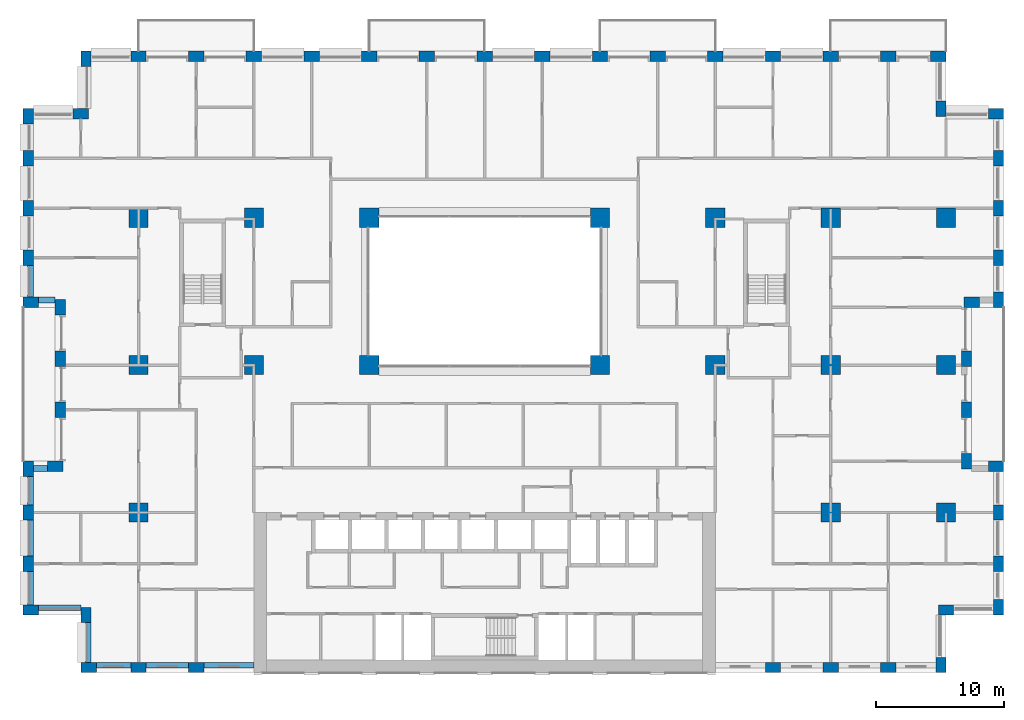
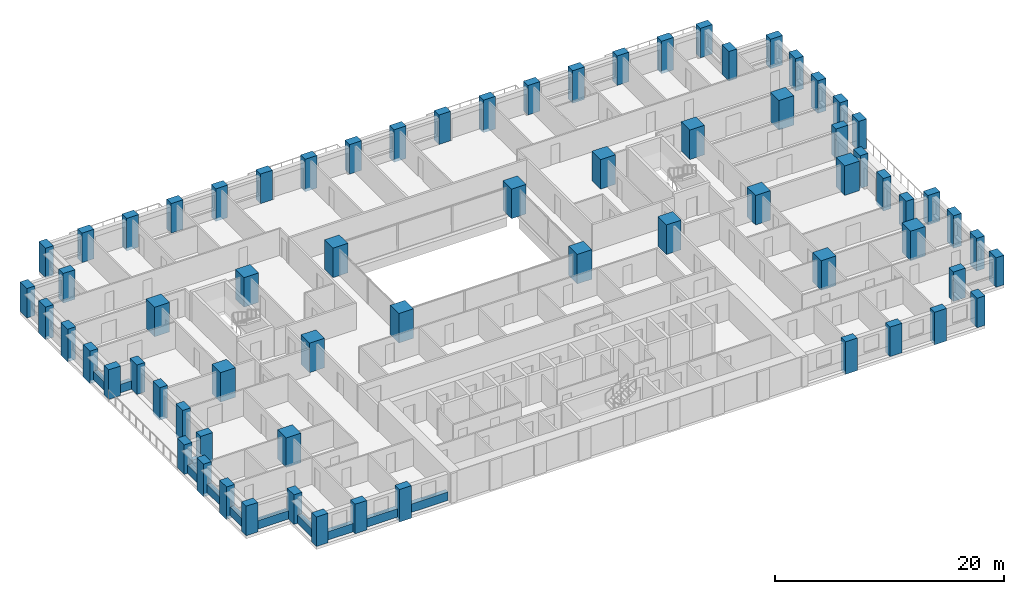
# One storey, part 1 of 19: 70 columns, 11 beams.
"""IFC4 building model written with IfcOpenShell, lengths in metres."""

from ifc_helpers import new_model, si_unit, direction, frame, origin, origin_2d, place, context, subcontext, project, spatial, rectangle, extrude, material, material_profile, profile_set, type_object, element, save


model = new_model("IFC4")

# Units and contexts
model_context = context("Model", 3, precision=1e-05, world=origin(), true_north=direction((0.0, 1.0)))
body_context = subcontext(model_context, "Body", "Model", "MODEL_VIEW")
ifc_project = project(units=[si_unit("LENGTHUNIT", "METRE"), si_unit("AREAUNIT", "SQUARE_METRE"), si_unit("VOLUMEUNIT", "CUBIC_METRE"), si_unit("PLANEANGLEUNIT", "RADIAN"), si_unit("MASSUNIT", "GRAM", prefix="KILO")], contexts=[model_context])

# Site, building, storey
site_placement = place(None, origin())
site = spatial("IfcSite", under=ifc_project, at=site_placement, CompositionType="ELEMENT")
building_placement = place(site_placement, origin())
building = spatial("IfcBuilding", under=site, at=building_placement, Name="Brigalow Station Residences", CompositionType="ELEMENT")
storey_placement = place(building_placement, frame((0.0, 0.0, 19.5)))
storey = spatial("IfcBuildingStorey", under=building, at=storey_placement, Name="L04", CompositionType="ELEMENT", Elevation=19.5)

# Columns
ifc_material_1 = material(Name="Concrete C80", Category="concrete")
ifc_material_profile_1 = material_profile(ifc_material_1, rectangle(XDim=1.5, YDim=1.5, at=origin_2d()), Name="RC1500x1500")
ifc_profile_set_1 = profile_set([ifc_material_profile_1], Name="Concrete C80")
column_type_1 = type_object("IfcColumnType", Name="COLUMN 1500x1500 C80", PredefinedType="COLUMN", material=ifc_profile_set_1)
for number, where, z_axis, x_axis, name in (
    (1, (9.0, 24.0, 0.0), (0.0, 0.0, 1.0), (1.0, 0.0, 0.0), "COLUMN C1 L04"),
    (2, (18.0, 24.0, 0.0), (0.0, 0.0, 1.0), (1.0, 0.0, 0.0), "COLUMN C2 L04"),
    (3, (27.0, 24.0, 0.0), (0.0, 0.0, 1.0), (1.0, 0.0, 0.0), "COLUMN C3 L04"),
    (4, (45.0, 24.0, 0.0), (0.0, 0.0, 1.0), (1.0, 0.0, 0.0), "COLUMN C5 L04"),
    (5, (54.0, 24.0, 0.0), (0.0, 0.0, 1.0), (1.0, 0.0, 0.0), "COLUMN C6 L04"),
    (6, (63.0, 24.0, 0.0), (0.0, 0.0, 1.0), (1.0, 0.0, 0.0), "COLUMN C7 L04"),
    (7, (72.0, 24.0, 0.0), (0.0, 0.0, 1.0), (1.0, 0.0, 0.0), "COLUMN C8 L04"),
    (8, (9.0, 35.5, 0.0), (0.0, 0.0, 1.0), (1.0, 0.0, 0.0), "COLUMN D1 L04"),
    (9, (18.0, 35.5, 0.0), (0.0, 0.0, 1.0), (1.0, 0.0, 0.0), "COLUMN D2 L04"),
    (10, (27.0, 35.5, 0.0), (0.0, 0.0, 1.0), (1.0, 0.0, 0.0), "COLUMN D3 L04"),
    (11, (45.0, 35.5, 0.0), (0.0, 0.0, 1.0), (1.0, 0.0, 0.0), "COLUMN D5 L04"),
    (12, (54.0, 35.5, 0.0), (0.0, 0.0, 1.0), (1.0, 0.0, 0.0), "COLUMN D6 L04"),
    (13, (63.0, 35.5, 0.0), (0.0, 0.0, 1.0), (1.0, 0.0, 0.0), "COLUMN D7 L04"),
    (14, (72.0, 35.5, 0.0), (0.0, 0.0, 1.0), (1.0, 0.0, 0.0), "COLUMN D8 L04"),
    (15, (9.0, 12.5, 0.0), (0.0, 0.0, 1.0), (1.0, 0.0, 0.0), "COLUMN B1 L04"),
    (16, (63.0, 12.5, 0.0), (0.0, 0.0, 1.0), (1.0, 0.0, 0.0), "COLUMN B7 L04"),
    (17, (72.0, 12.5, 0.0), (0.0, 0.0, 1.0), (1.0, 0.0, 0.0), "COLUMN B8 L04"),
):
    element("IfcColumn", number, at=place(storey_placement, frame(where, z_axis=z_axis, x_axis=x_axis)), inside=storey, type_object=column_type_1, Name=name, PredefinedType="COLUMN", context=body_context, shape_type="SweptSolid", body=[
        extrude(rectangle(XDim=1.5, YDim=1.5, at=origin_2d()), origin(), (0.0, 0.0, 1.0), 3.14990234375),
    ])
ifc_material_2 = material(Name="Concrete C80", Category="concrete")
ifc_material_profile_2 = material_profile(ifc_material_2, rectangle(XDim=1.199951171875, YDim=0.800048828125, at=origin_2d()), Name="RC1200x800")
ifc_profile_set_2 = profile_set([ifc_material_profile_2], Name="Concrete C80")
column_type_2 = type_object("IfcColumnType", Name="PIER 1200x800 C80", PredefinedType="USERDEFINED", material=ifc_profile_set_2)
for number, where, z_axis, x_axis, name in (
    (18, (5.10009765625, 0.39990234375, 0.0), (0.0, 0.0, 1.0), (1.0, 0.0, 0.0), "PIER S-1 L04"),
    (19, (9.0, 0.39990234375, 0.0), (0.0, 0.0, 1.0), (1.0, 0.0, 0.0), "PIER S-2 L04"),
    (20, (63.0, 0.39990234375, 0.0), (0.0, 0.0, 1.0), (1.0, 0.0, 0.0), "PIER S-14 L04"),
    (21, (71.60009765625, 0.60009765625, 0.0), (0.0, 0.0, 1.0), (0.0, 1.0, 0.0), "PIER SE1-1 L04"),
    (22, (72.0, 4.89990234375, 0.0), (0.0, 0.0, 1.0), (1.0, 0.0, 0.0), "PIER SE2-1 L04"),
    (23, (76.10009765625, 5.10009765625, 0.0), (0.0, 0.0, 1.0), (0.0, 1.0, 0.0), "PIER E1-1 L04"),
    (24, (75.89990234375, 16.10009765625, 0.0), (0.0, 0.0, 1.0), (-1.0, 0.0, 0.0), "PIER EL1-1 L04"),
    (25, (73.60009765625, 16.5, 0.0), (0.0, 0.0, 1.0), (0.0, 1.0, 0.0), "PIER EL2-1 L04"),
    (26, (74.0, 28.89990234375, 0.0), (0.0, 0.0, 1.0), (1.0, 0.0, 0.0), "PIER EL3-1 L04"),
    (27, (76.10009765625, 29.10009765625, 0.0), (0.0, 0.0, 1.0), (0.0, 1.0, 0.0), "PIER E2-1 L04"),
    (28, (75.89990234375, 43.60009765625, 0.0), (0.0, 0.0, 1.0), (-1.0, 0.0, 0.0), "PIER NE1-1 L04"),
    (29, (71.60009765625, 44.0, 0.0), (0.0, 0.0, 1.0), (0.0, 1.0, 0.0), "PIER NE2-1 L04"),
    (30, (71.39990234375, 48.10009765625, 0.0), (0.0, 0.0, 1.0), (-1.0, 0.0, 0.0), "PIER N-1 L04"),
    (31, (63.0, 48.10009765625, 0.0), (0.0, 0.0, 1.0), (-1.0, 0.0, 0.0), "PIER N-3 L04"),
    (32, (54.0, 48.10009765625, 0.0), (0.0, 0.0, 1.0), (-1.0, 0.0, 0.0), "PIER N-5 L04"),
    (33, (45.0, 48.10009765625, 0.0), (0.0, 0.0, 1.0), (-1.0, 0.0, 0.0), "PIER N-7 L04"),
    (34, (36.0, 48.10009765625, 0.0), (0.0, 0.0, 1.0), (-1.0, 0.0, 0.0), "PIER N-9 L04"),
    (35, (27.0, 48.10009765625, 0.0), (0.0, 0.0, 1.0), (-1.0, 0.0, 0.0), "PIER N-11 L04"),
    (36, (18.0, 48.10009765625, 0.0), (0.0, 0.0, 1.0), (-1.0, 0.0, 0.0), "PIER N-13 L04"),
    (37, (9.0, 48.10009765625, 0.0), (0.0, 0.0, 1.0), (-1.0, 0.0, 0.0), "PIER N-15 L04"),
    (38, (4.89990234375, 47.89990234375, 0.0), (0.0, 0.0, 1.0), (0.0, -1.0, 0.0), "PIER NW1-1 L04"),
    (39, (4.5, 43.60009765625, 0.0), (0.0, 0.0, 1.0), (-1.0, 0.0, 0.0), "PIER NW2-1 L04"),
    (40, (0.39990234375, 43.39990234375, 0.0), (0.0, 0.0, 1.0), (0.0, -1.0, 0.0), "PIER W2-1 L04"),
    (41, (0.60009765625, 28.89990234375, 0.0), (0.0, 0.0, 1.0), (1.0, 0.0, 0.0), "PIER WL1-1 L04"),
    (42, (2.89990234375, 28.5, 0.0), (0.0, 0.0, 1.0), (0.0, -1.0, 0.0), "PIER WL2-1 L04"),
    (43, (2.5, 16.10009765625, 0.0), (0.0, 0.0, 1.0), (-1.0, 0.0, 0.0), "PIER WL3-1 L04"),
    (44, (0.39990234375, 15.89990234375, 0.0), (0.0, 0.0, 1.0), (0.0, -1.0, 0.0), "PIER W1-1 L04"),
    (45, (0.60009765625, 4.89990234375, 0.0), (0.0, 0.0, 1.0), (1.0, 0.0, 0.0), "PIER SW1-1 L04"),
    (46, (4.89990234375, 4.5, 0.0), (0.0, 0.0, 1.0), (0.0, -1.0, 0.0), "PIER SW2-1 L04"),
):
    element("IfcColumn", number, at=place(storey_placement, frame(where, z_axis=z_axis, x_axis=x_axis)), inside=storey, type_object=column_type_2, Name=name, ObjectType="PIER", PredefinedType="USERDEFINED", context=body_context, shape_type="SweptSolid", body=[
        extrude(rectangle(XDim=1.199951171875, YDim=0.800048828125, at=origin_2d()), origin(), (0.0, 0.0, 1.0), 3.14990234375),
    ])
ifc_material_3 = material(Name="Concrete C80", Category="concrete")
ifc_material_profile_3 = material_profile(ifc_material_3, rectangle(XDim=1.199951171875, YDim=0.800048828125, at=origin_2d()), Name="RC1200x800")
ifc_profile_set_3 = profile_set([ifc_material_profile_3], Name="Concrete C80")
column_type_3 = type_object("IfcColumnType", Name="PIER ON GIRDER 1200x800 C80", PredefinedType="USERDEFINED", material=ifc_profile_set_3)
for number, where, z_axis, x_axis, name in (
    (47, (13.5, 0.39990234375, -0.320068359375), (0.0, 0.0, 1.0), (1.0, 0.0, 0.0), "PIER S-3 L04"),
    (48, (58.5, 0.39990234375, -0.320068359375), (0.0, 0.0, 1.0), (1.0, 0.0, 0.0), "PIER S-13 L04"),
    (49, (67.5, 0.39990234375, -0.320068359375), (0.0, 0.0, 1.0), (1.0, 0.0, 0.0), "PIER S-15 L04"),
    (50, (76.10009765625, 8.5, -0.320068359375), (0.0, 0.0, 1.0), (0.0, 1.0, 0.0), "PIER E1-2 L04"),
    (51, (76.10009765625, 12.5, -0.320068359375), (0.0, 0.0, 1.0), (0.0, 1.0, 0.0), "PIER E1-3 L04"),
    (52, (73.60009765625, 20.5, -0.320068359375), (0.0, 0.0, 1.0), (0.0, 1.0, 0.0), "PIER EL2-2 L04"),
    (53, (73.60009765625, 24.5, -0.320068359375), (0.0, 0.0, 1.0), (0.0, 1.0, 0.0), "PIER EL2-3 L04"),
    (54, (76.10009765625, 32.375, -0.320068359375), (0.0, 0.0, 1.0), (0.0, 1.0, 0.0), "PIER E2-2 L04"),
    (55, (76.10009765625, 36.25, -0.320068359375), (0.0, 0.0, 1.0), (0.0, 1.0, 0.0), "PIER E2-3 L04"),
    (56, (76.10009765625, 40.125, -0.320068359375), (0.0, 0.0, 1.0), (0.0, 1.0, 0.0), "PIER E2-4 L04"),
    (57, (67.5, 48.10009765625, -0.320068359375), (0.0, 0.0, 1.0), (-1.0, 0.0, 0.0), "PIER N-2 L04"),
    (58, (58.5, 48.10009765625, -0.320068359375), (0.0, 0.0, 1.0), (-1.0, 0.0, 0.0), "PIER N-4 L04"),
    (59, (49.5, 48.10009765625, -0.320068359375), (0.0, 0.0, 1.0), (-1.0, 0.0, 0.0), "PIER N-6 L04"),
    (60, (40.5, 48.10009765625, -0.320068359375), (0.0, 0.0, 1.0), (-1.0, 0.0, 0.0), "PIER N-8 L04"),
    (61, (31.5, 48.10009765625, -0.320068359375), (0.0, 0.0, 1.0), (-1.0, 0.0, 0.0), "PIER N-10 L04"),
    (62, (22.5, 48.10009765625, -0.320068359375), (0.0, 0.0, 1.0), (-1.0, 0.0, 0.0), "PIER N-12 L04"),
    (63, (13.5, 48.10009765625, -0.320068359375), (0.0, 0.0, 1.0), (-1.0, 0.0, 0.0), "PIER N-14 L04"),
    (64, (0.39990234375, 40.125, -0.320068359375), (0.0, 0.0, 1.0), (0.0, -1.0, 0.0), "PIER W2-2 L04"),
    (65, (0.39990234375, 36.25, -0.320068359375), (0.0, 0.0, 1.0), (0.0, -1.0, 0.0), "PIER W2-3 L04"),
    (66, (0.39990234375, 32.375, -0.320068359375), (0.0, 0.0, 1.0), (0.0, -1.0, 0.0), "PIER W2-4 L04"),
    (67, (2.89990234375, 24.5, -0.320068359375), (0.0, 0.0, 1.0), (0.0, -1.0, 0.0), "PIER WL2-2 L04"),
    (68, (2.89990234375, 20.5, -0.320068359375), (0.0, 0.0, 1.0), (0.0, -1.0, 0.0), "PIER WL2-3 L04"),
    (69, (0.39990234375, 12.5, -0.320068359375), (0.0, 0.0, 1.0), (0.0, -1.0, 0.0), "PIER W1-2 L04"),
    (70, (0.39990234375, 8.5, -0.320068359375), (0.0, 0.0, 1.0), (0.0, -1.0, 0.0), "PIER W1-3 L04"),
):
    element("IfcColumn", number, at=place(storey_placement, frame(where, z_axis=z_axis, x_axis=x_axis)), inside=storey, type_object=column_type_3, Name=name, ObjectType="PIER", PredefinedType="USERDEFINED", context=body_context, shape_type="SweptSolid", body=[
        extrude(rectangle(XDim=1.199951171875, YDim=0.800048828125, at=origin_2d()), origin(), (0.0, 0.0, 1.0), 3.469970703125),
    ])

# Beams
ifc_material_4 = material(Name="Concrete C65", Category="concrete")
ifc_material_profile_4 = material_profile(ifc_material_4, rectangle(XDim=0.449951171875, YDim=0.89990234375, at=origin_2d()), Name="RC450x900")
ifc_profile_set_4 = profile_set([ifc_material_profile_4], Name="Concrete C65")
beam_type = type_object("IfcBeamType", Name="SPANDREL BEAM 450x900 C65", PredefinedType="SPANDREL", material=ifc_profile_set_4)
beam_1_placement = place(storey_placement, frame((5.699951171875, 0.574951171875, 0.449951171875), z_axis=(1.0, 0.0, 0.0), x_axis=(0.0, 1.0, 0.0)))
element("IfcBeam", 71, at=beam_1_placement, inside=storey, type_object=beam_type, Name="L04/spandrel/W-L04-1", PredefinedType="SPANDREL", context=body_context, shape_type="SweptSolid", body=[
    extrude(rectangle(XDim=0.449951171875, YDim=0.89990234375, at=origin_2d()), origin(), (0.0, 0.0, 1.0), 2.699951171875),
])
beam_2_placement = place(storey_placement, frame((9.60009765625, 0.574951171875, 0.449951171875), z_axis=(1.0, 0.0, 0.0), x_axis=(0.0, 1.0, 0.0)))
element("IfcBeam", 72, at=beam_2_placement, inside=storey, type_object=beam_type, Name="L04/spandrel/W-L04-2", PredefinedType="SPANDREL", context=body_context, shape_type="SweptSolid", body=[
    extrude(rectangle(XDim=0.449951171875, YDim=0.89990234375, at=origin_2d()), origin(), (0.0, 0.0, 1.0), 3.2998046875),
])
beam_3_placement = place(storey_placement, frame((14.10009765625, 0.574951171875, 0.449951171875), z_axis=(1.0, 0.0, 0.0), x_axis=(0.0, 1.0, 0.0)))
element("IfcBeam", 73, at=beam_3_placement, inside=storey, type_object=beam_type, Name="L04/spandrel/W-L04-3", PredefinedType="SPANDREL", context=body_context, shape_type="SweptSolid", body=[
    extrude(rectangle(XDim=0.449951171875, YDim=0.89990234375, at=origin_2d()), origin(), (0.0, 0.0, 1.0), 3.89990234375),
])
beam_4_placement = place(storey_placement, frame((0.574951171875, 31.77490234375, 0.449951171875), z_axis=(0.0, -1.0, 0.0), x_axis=(1.0, 0.0, 0.0)))
element("IfcBeam", 74, at=beam_4_placement, inside=storey, type_object=beam_type, Name="L04/spandrel/W-L04-45", PredefinedType="SPANDREL", context=body_context, shape_type="SweptSolid", body=[
    extrude(rectangle(XDim=0.449951171875, YDim=0.89990234375, at=origin_2d()), origin(), (0.0, 0.0, 1.0), 2.474853515625),
])
beam_5_placement = place(storey_placement, frame((1.199951171875, 29.074951171875, 0.449951171875), z_axis=(1.0, 0.0, 0.0), x_axis=(0.0, 1.0, 0.0)))
element("IfcBeam", 75, at=beam_5_placement, inside=storey, type_object=beam_type, Name="L04/spandrel/W-L04-46", PredefinedType="SPANDREL", context=body_context, shape_type="SweptSolid", body=[
    extrude(rectangle(XDim=0.449951171875, YDim=0.89990234375, at=origin_2d()), origin(), (0.0, 0.0, 1.0), 1.300048828125),
])
beam_6_placement = place(storey_placement, frame((1.89990234375, 15.925048828125, 0.449951171875), z_axis=(-1.0, 0.0, 0.0), x_axis=(0.0, -1.0, 0.0)))
element("IfcBeam", 76, at=beam_6_placement, inside=storey, type_object=beam_type, Name="L04/spandrel/W-L04-50", PredefinedType="SPANDREL", context=body_context, shape_type="SweptSolid", body=[
    extrude(rectangle(XDim=0.449951171875, YDim=0.89990234375, at=origin_2d()), origin(), (0.0, 0.0, 1.0), 1.099853515625),
])
beam_7_placement = place(storey_placement, frame((0.574951171875, 15.300048828125, 0.449951171875), z_axis=(0.0, -1.0, 0.0), x_axis=(1.0, 0.0, 0.0)))
element("IfcBeam", 77, at=beam_7_placement, inside=storey, type_object=beam_type, Name="L04/spandrel/W-L04-51", PredefinedType="SPANDREL", context=body_context, shape_type="SweptSolid", body=[
    extrude(rectangle(XDim=0.449951171875, YDim=0.89990234375, at=origin_2d()), origin(), (0.0, 0.0, 1.0), 2.199951171875),
])
beam_8_placement = place(storey_placement, frame((0.574951171875, 11.89990234375, 0.449951171875), z_axis=(0.0, -1.0, 0.0), x_axis=(1.0, 0.0, 0.0)))
element("IfcBeam", 78, at=beam_8_placement, inside=storey, type_object=beam_type, Name="L04/spandrel/W-L04-52", PredefinedType="SPANDREL", context=body_context, shape_type="SweptSolid", body=[
    extrude(rectangle(XDim=0.449951171875, YDim=0.89990234375, at=origin_2d()), origin(), (0.0, 0.0, 1.0), 2.7998046875),
])
beam_9_placement = place(storey_placement, frame((0.574951171875, 7.89990234375, 0.449951171875), z_axis=(0.0, -1.0, 0.0), x_axis=(1.0, 0.0, 0.0)))
element("IfcBeam", 79, at=beam_9_placement, inside=storey, type_object=beam_type, Name="L04/spandrel/W-L04-53", PredefinedType="SPANDREL", context=body_context, shape_type="SweptSolid", body=[
    extrude(rectangle(XDim=0.449951171875, YDim=0.89990234375, at=origin_2d()), origin(), (0.0, 0.0, 1.0), 2.599853515625),
])
beam_10_placement = place(storey_placement, frame((1.199951171875, 5.074951171875, 0.449951171875), z_axis=(1.0, 0.0, 0.0), x_axis=(0.0, 1.0, 0.0)))
element("IfcBeam", 80, at=beam_10_placement, inside=storey, type_object=beam_type, Name="L04/spandrel/W-L04-54", PredefinedType="SPANDREL", context=body_context, shape_type="SweptSolid", body=[
    extrude(rectangle(XDim=0.449951171875, YDim=0.89990234375, at=origin_2d()), origin(), (0.0, 0.0, 1.0), 3.300048828125),
])
beam_11_placement = place(storey_placement, frame((5.074951171875, 3.89990234375, 0.449951171875), z_axis=(0.0, -1.0, 0.0), x_axis=(1.0, 0.0, 0.0)))
element("IfcBeam", 81, at=beam_11_placement, inside=storey, type_object=beam_type, Name="L04/spandrel/W-L04-55", PredefinedType="SPANDREL", context=body_context, shape_type="SweptSolid", body=[
    extrude(rectangle(XDim=0.449951171875, YDim=0.89990234375, at=origin_2d()), origin(), (0.0, 0.0, 1.0), 3.099853515625),
])

save(model, "model.ifc")
